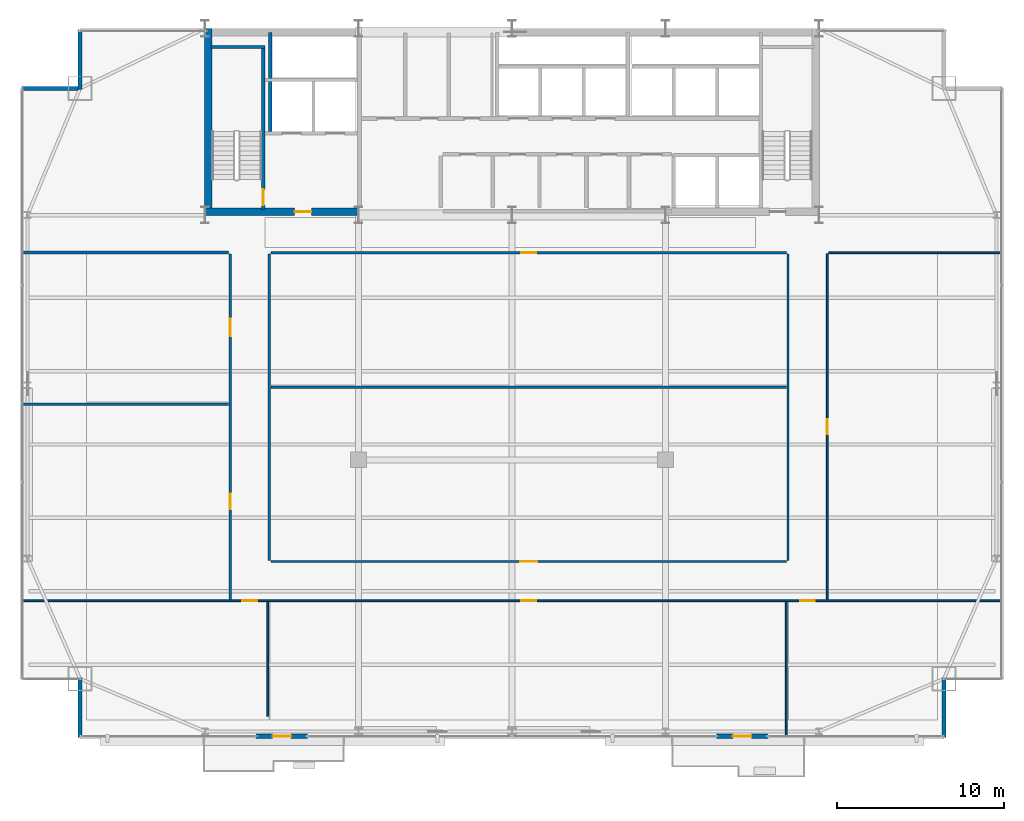
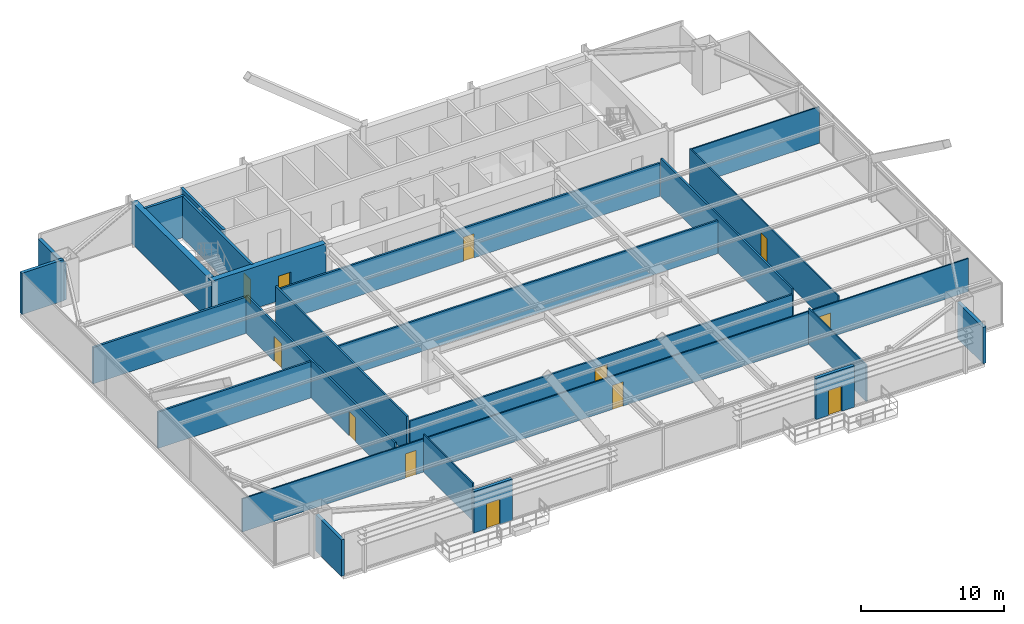
# One storey, part 33 of 37: 24 walls, 12 doors, 12 openings.
"""IFC4 building model written with IfcOpenShell, lengths in metres."""

from ifc_helpers import new_model, si_unit, direction, frame, frame_2d, origin, place, context, subcontext, project, spatial, rectangle, extrude, source, transform, mapped, material, layer, layer_set, type_object, type_shapes, element, fill, save


model = new_model("IFC4")

# Units and contexts
model_context = context("Model", 3, precision=1e-05, world=origin(), true_north=direction((0.0, 1.0)))
body_context = subcontext(model_context, "Body", "Model", "MODEL_VIEW")
ifc_project = project(units=[si_unit("LENGTHUNIT", "METRE"), si_unit("AREAUNIT", "SQUARE_METRE"), si_unit("VOLUMEUNIT", "CUBIC_METRE"), si_unit("PLANEANGLEUNIT", "RADIAN"), si_unit("MASSUNIT", "GRAM", prefix="KILO")], contexts=[model_context])

# Site, building, storey
site_placement = place(None, origin())
site = spatial("IfcSite", under=ifc_project, at=site_placement, CompositionType="ELEMENT")
building_placement = place(site_placement, origin())
building = spatial("IfcBuilding", under=site, at=building_placement, Name="Varnel Quay Broadcast Tower", CompositionType="ELEMENT")
storey_placement = place(building_placement, frame((0.0, 0.0, 106.800048828125)))
storey = spatial("IfcBuildingStorey", under=building, at=storey_placement, Name="L25", CompositionType="ELEMENT", Elevation=106.800048828125)

# Wall, opening, door
ifc_material_1 = material(Name="Concrete CSA A23.3 C50/60", Category="concrete")
ifc_layer_1 = layer(ifc_material_1, 0.199951171875, Name="Concrete CSA A23.3 C50/60")
ifc_layer_set_1 = layer_set([ifc_layer_1], Name="Concrete CSA A23.3 C50/60")
wall_type_1 = type_object("IfcWallType", Name="Wall_CoreShaftShear200", PredefinedType="SHEAR", material=ifc_layer_set_1)
wall_1_placement = place(storey_placement, frame((19.080078125, 35.949951171875, 0.0), z_axis=(0.0, 0.0, 1.0), x_axis=(0.0, 1.0, 0.0)))
wall_1 = element("IfcWall", 1, at=wall_1_placement, inside=storey, type_object=wall_type_1, Name="L25 Stair 1 East Structural Wall", PredefinedType="SHEAR", context=body_context, shape_type="SweptSolid", body=[
    extrude(rectangle(XDim=9.650146484375, YDim=0.199951171875, at=frame_2d((4.8251953125, 0.0))), origin(), (0.0, 0.0, 1.0), 3.550048828125),
])
opening_1_placement = place(wall_1_placement, frame((0.25, 0.0, 0.0)))
opening_1 = element("IfcOpeningElement", 2, at=opening_1_placement, cuts=wall_1, Name="Opening D-L25-S1", PredefinedType="OPENING", context=body_context, shape_type="SweptSolid", body=[
    extrude(rectangle(XDim=0.949951171875, YDim=2.10009765625, at=frame_2d((0.47509765625, 1.050048828125))), frame((0.0, 0.10986328125, 0.0), z_axis=(0.0, -1.0, 0.0), x_axis=(1.0, 0.0, 0.0)), (0.0, 0.0, 1.0), 0.219970703125),
])
ifc_material_2 = material(Name="Insulated Fire-Rated Hollow Steel Door", Category="steel")
door_type_1 = type_object("IfcDoorType", Name="Door_FireStair950", OperationType="NOTDEFINED", PredefinedType="DOOR", material=ifc_material_2)
shared_shape_1 = source(origin(), body_context, "Body", "SweptSolid", [
    extrude(rectangle(XDim=0.949951171875, YDim=2.10009765625, at=frame_2d((0.47509765625, 1.050048828125))), frame((0.0, 0.02490234375, 0.0), z_axis=(0.0, -1.0, 0.0), x_axis=(1.0, 0.0, 0.0)), (0.0, 0.0, 1.0), 0.050048828125),
])
type_shapes(door_type_1, [shared_shape_1])
door_1_placement = place(opening_1_placement, origin())
door_1 = element("IfcDoor", 3, at=door_1_placement, inside=storey, type_object=door_type_1, Name="L25 Stair 1 Fire Door", OperationType="SINGLE_SWING_LEFT", OverallHeight=2.10009765625, OverallWidth=0.949951171875, PredefinedType="DOOR", context=body_context, shape_type="MappedRepresentation", body=[
    mapped(shared_shape_1, transform((0.0, 0.0, 0.0), x_axis=(1.0, 0.0, 0.0), y_axis=(0.0, 1.0, 0.0), z_axis=(0.0, 0.0, 1.0), scale=1.0)),
])
fill(opening_1, door_1)

# Walls
wall_2_placement = place(storey_placement, frame((15.949951171875, 45.679931640625, 0.0), z_axis=(0.0, 0.0, 1.0), x_axis=(1.0, 0.0, 0.0)))
element("IfcWall", 4, at=wall_2_placement, inside=storey, type_object=wall_type_1, Name="L25 Stair 1 North Structural Wall", PredefinedType="SHEAR", context=body_context, shape_type="SweptSolid", body=[
    extrude(rectangle(XDim=3.22998046875, YDim=0.199951171875, at=frame_2d((1.614990234375, 0.0))), origin(), (0.0, 0.0, 1.0), 3.550048828125),
])
wall_3_placement = place(storey_placement, frame((19.5, 40.60009765625, 0.0), z_axis=(0.0, 0.0, 1.0), x_axis=(0.0, 1.0, 0.0)))
element("IfcWall", 5, at=wall_3_placement, inside=storey, type_object=wall_type_1, Name="L25 Firefighter Lift Shaft West Wall", PredefinedType="SHEAR", context=body_context, shape_type="SweptSolid", body=[
    extrude(rectangle(XDim=5.949951171875, YDim=0.199951171875, at=frame_2d((2.97509765625, 0.0))), origin(), (0.0, 0.0, 1.0), 3.550048828125),
])
ifc_material_3 = material(Name="Concrete CSA A23.3 C60/75", Category="concrete")
ifc_layer_2 = layer(ifc_material_3, 0.449951171875, Name="Concrete CSA A23.3 C60/75")
ifc_layer_set_2 = layer_set([ifc_layer_2], Name="Concrete CSA A23.3 C60/75")
wall_type_2 = type_object("IfcWallType", Name="Wall_CoreShearInt450", PredefinedType="SHEAR", material=ifc_layer_set_2)
wall_4_placement = place(storey_placement, frame((15.794921875, 35.570068359375, 0.0), z_axis=(0.0, 0.0, 1.0), x_axis=(0.0, 1.0, 0.0)))
element("IfcWall", 6, at=wall_4_placement, inside=storey, type_object=wall_type_2, Name="L25 West Core Shear Wall", PredefinedType="SHEAR", context=body_context, shape_type="SweptSolid", body=[
    extrude(rectangle(XDim=11.22998046875, YDim=0.449951171875, at=frame_2d((5.614990234375, 0.0))), origin(), (0.0, 0.0, 1.0), 3.550048828125),
])

# Wall, opening, door
wall_5_placement = place(storey_placement, frame((15.570068359375, 35.794921875, 0.0), z_axis=(0.0, 0.0, 1.0), x_axis=(1.0, 0.0, 0.0)))
wall_5 = element("IfcWall", 7, at=wall_5_placement, inside=storey, type_object=wall_type_2, Name="L25 South-West Core Shear Wall", PredefinedType="SHEAR", context=body_context, shape_type="SweptSolid", body=[
    extrude(rectangle(XDim=9.22998046875, YDim=0.449951171875, at=frame_2d((4.614990234375, 0.0))), origin(), (0.0, 0.0, 1.0), 3.550048828125),
])
opening_2_placement = place(wall_5_placement, frame((5.39990234375, 0.0, 0.0)))
opening_2 = element("IfcOpeningElement", 8, at=opening_2_placement, cuts=wall_5, Name="Opening D-L25-FFL", PredefinedType="OPENING", context=body_context, shape_type="SweptSolid", body=[
    extrude(rectangle(XDim=1.0, YDim=2.10009765625, at=frame_2d((0.5, 1.050048828125))), frame((0.0, 0.23486328125, 0.0), z_axis=(0.0, -1.0, 0.0), x_axis=(1.0, 0.0, 0.0)), (0.0, 0.0, 1.0), 0.469970703125),
])
door_type_2 = type_object("IfcDoorType", Name="Door_FireLobby1000", OperationType="NOTDEFINED", PredefinedType="DOOR", material=ifc_material_2)
shared_shape_2 = source(origin(), body_context, "Body", "SweptSolid", [
    extrude(rectangle(XDim=1.0, YDim=2.10009765625, at=frame_2d((0.5, 1.050048828125))), frame((0.0, 0.02490234375, 0.0), z_axis=(0.0, -1.0, 0.0), x_axis=(1.0, 0.0, 0.0)), (0.0, 0.0, 1.0), 0.050048828125),
])
type_shapes(door_type_2, [shared_shape_2])
door_2_placement = place(opening_2_placement, origin())
door_2 = element("IfcDoor", 9, at=door_2_placement, inside=storey, type_object=door_type_2, Name="L25 Firefighting Lobby Door", OperationType="SINGLE_SWING_RIGHT", OverallHeight=2.10009765625, OverallWidth=1.0, PredefinedType="DOOR", context=body_context, shape_type="MappedRepresentation", body=[
    mapped(shared_shape_2, transform((0.0, 0.0, 0.0), x_axis=(1.0, 0.0, 0.0), y_axis=(0.0, 1.0, 0.0), z_axis=(0.0, 0.0, 1.0), scale=1.0)),
])
fill(opening_2, door_2)

ifc_material_4 = material(Name="Precast Architectural Concrete C40/50", Category="concrete")
ifc_layer_3 = layer(ifc_material_4, 0.25, Name="Precast Architectural Concrete C40/50")
ifc_layer_set_3 = layer_set([ifc_layer_3], Name="Precast Architectural Concrete C40/50")
wall_type_3 = type_object("IfcWallType", Name="Wall_ExtTerrace250", PredefinedType="SOLIDWALL", material=ifc_layer_set_3)
wall_6_placement = place(storey_placement, frame((18.64990234375, 4.35009765625, 0.0), z_axis=(0.0, 0.0, 1.0), x_axis=(1.0, 0.0, 0.0)))
wall_6 = element("IfcWall", 10, at=wall_6_placement, inside=storey, type_object=wall_type_3, Name="L25 Terrace Access Wall 1", PredefinedType="SOLIDWALL", context=body_context, shape_type="SweptSolid", body=[
    extrude(rectangle(XDim=3.10009765625, YDim=0.25, at=frame_2d((1.550048828125, 0.0))), origin(), (0.0, 0.0, 1.0), 3.530029296875),
])
opening_3_placement = place(wall_6_placement, frame((1.0, 0.0, 0.0)))
opening_3 = element("IfcOpeningElement", 11, at=opening_3_placement, cuts=wall_6, Name="Opening TD-251", PredefinedType="OPENING", context=body_context, shape_type="SweptSolid", body=[
    extrude(rectangle(XDim=1.10009765625, YDim=2.14990234375, at=frame_2d((0.550048828125, 1.074951171875))), frame((0.0, 0.135009765625, 0.0), z_axis=(0.0, -1.0, 0.0), x_axis=(1.0, 0.0, 0.0)), (0.0, 0.0, 1.0), 0.27001953125),
])
ifc_material_5 = material(Name="Anodised Bronze Aluminium 6063-T6", Category="aluminium")
door_type_3 = type_object("IfcDoorType", Name="Door_ExtTerrace1100", OperationType="NOTDEFINED", PredefinedType="DOOR", material=ifc_material_5)
shared_shape_3 = source(origin(), body_context, "Body", "SweptSolid", [
    extrude(rectangle(XDim=1.10009765625, YDim=2.14990234375, at=frame_2d((0.550048828125, 1.074951171875))), frame((0.0, 0.02490234375, 0.0), z_axis=(0.0, -1.0, 0.0), x_axis=(1.0, 0.0, 0.0)), (0.0, 0.0, 1.0), 0.050048828125),
])
type_shapes(door_type_3, [shared_shape_3])
door_3_placement = place(opening_3_placement, frame((1.10009765625, 0.0, 0.0), z_axis=(0.0, 0.0, 1.0), x_axis=(-1.0, 0.0, 0.0)))
door_3 = element("IfcDoor", 12, at=door_3_placement, inside=storey, type_object=door_type_3, Name="L25 Terrace Door TD-251", OperationType="SINGLE_SWING_LEFT", OverallHeight=2.14990234375, OverallWidth=1.10009765625, PredefinedType="DOOR", context=body_context, shape_type="MappedRepresentation", body=[
    mapped(shared_shape_3, transform((0.0, 0.0, 0.0), x_axis=(1.0, 0.0, 0.0), y_axis=(0.0, 1.0, 0.0), z_axis=(0.0, 0.0, 1.0), scale=1.0)),
])
fill(opening_3, door_3)

wall_7_placement = place(storey_placement, frame((46.25, 4.35009765625, 0.0), z_axis=(0.0, 0.0, 1.0), x_axis=(1.0, 0.0, 0.0)))
wall_7 = element("IfcWall", 13, at=wall_7_placement, inside=storey, type_object=wall_type_3, Name="L25 Terrace Access Wall 2", PredefinedType="SOLIDWALL", context=body_context, shape_type="SweptSolid", body=[
    extrude(rectangle(XDim=3.10009765625, YDim=0.25, at=frame_2d((1.550048828125, 0.0))), origin(), (0.0, 0.0, 1.0), 3.530029296875),
])
opening_4_placement = place(wall_7_placement, frame((1.0, 0.0, 0.0)))
opening_4 = element("IfcOpeningElement", 14, at=opening_4_placement, cuts=wall_7, Name="Opening TD-252", PredefinedType="OPENING", context=body_context, shape_type="SweptSolid", body=[
    extrude(rectangle(XDim=1.10009765625, YDim=2.14990234375, at=frame_2d((0.550048828125, 1.074951171875))), frame((0.0, 0.135009765625, 0.0), z_axis=(0.0, -1.0, 0.0), x_axis=(1.0, 0.0, 0.0)), (0.0, 0.0, 1.0), 0.27001953125),
])
door_4_placement = place(opening_4_placement, frame((1.10009765625, 0.0, 0.0), z_axis=(0.0, 0.0, 1.0), x_axis=(-1.0, 0.0, 0.0)))
door_4 = element("IfcDoor", 15, at=door_4_placement, inside=storey, type_object=door_type_3, Name="L25 Terrace Door TD-252", OperationType="SINGLE_SWING_RIGHT", OverallHeight=2.14990234375, OverallWidth=1.10009765625, PredefinedType="DOOR", context=body_context, shape_type="MappedRepresentation", body=[
    mapped(shared_shape_3, transform((0.0, 0.0, 0.0), x_axis=(1.0, 0.0, 0.0), y_axis=(0.0, 1.0, 0.0), z_axis=(0.0, 0.0, 1.0), scale=1.0)),
])
fill(opening_4, door_4)

# Walls
for number, where, z_axis, x_axis, name in (
    (16, (8.10009765625, 4.280029296875, 0.0), (0.0, 0.0, 1.0), (0.0, 1.0, 0.0), "L25 Mega-Column Notch Cladding Wall NSW2"),
    (17, (59.89990234375, 4.280029296875, 0.0), (0.0, 0.0, 1.0), (0.0, 1.0, 0.0), "L25 Mega-Column Notch Cladding Wall NSE2"),
):
    element("IfcWall", number, at=place(storey_placement, frame(where, z_axis=z_axis, x_axis=x_axis)), inside=storey, type_object=wall_type_3, Name=name, PredefinedType="SOLIDWALL", context=body_context, shape_type="SweptSolid", body=[
        extrude(rectangle(XDim=3.599853515625, YDim=0.25, at=frame_2d((1.7998046875, 0.0))), origin(), (0.0, 0.0, 1.0), 3.10791015625),
    ])
wall_8_placement = place(storey_placement, frame((4.580078125, 43.199951171875, 0.0), z_axis=(0.0, 0.0, 1.0), x_axis=(1.0, 0.0, 0.0)))
element("IfcWall", 18, at=wall_8_placement, inside=storey, type_object=wall_type_3, Name="L25 Mega-Column Notch Cladding Wall NNW1", PredefinedType="SOLIDWALL", context=body_context, shape_type="SweptSolid", body=[
    extrude(rectangle(XDim=3.389892578125, YDim=0.25, at=frame_2d((1.69482421875, 0.0))), origin(), (0.0, 0.0, 1.0), 3.530029296875),
])
wall_9_placement = place(storey_placement, frame((8.10009765625, 43.1201171875, 0.0), z_axis=(0.0, 0.0, 1.0), x_axis=(0.0, 1.0, 0.0)))
element("IfcWall", 19, at=wall_9_placement, inside=storey, type_object=wall_type_3, Name="L25 Mega-Column Notch Cladding Wall NNW2", PredefinedType="SOLIDWALL", context=body_context, shape_type="SweptSolid", body=[
    extrude(rectangle(XDim=3.599853515625, YDim=0.25, at=frame_2d((1.7998046875, 0.0))), origin(), (0.0, 0.0, 1.0), 3.10791015625),
])
ifc_material_6 = material(Name="Steel-Stud Fire-Rated Acoustic Gypsum Partition Assembly", Category="steel")
ifc_layer_4 = layer(ifc_material_6, 0.10498046875, Name="Steel-Stud Fire-Rated Acoustic Gypsum Partition Assembly")
ifc_layer_set_4 = layer_set([ifc_layer_4], Name="Steel-Stud Fire-Rated Acoustic Gypsum Partition Assembly")
wall_type_4 = type_object("IfcWallType", Name="Wall_Partition105", PredefinedType="PARTITIONING", material=ifc_layer_set_4)
wall_10_placement = place(storey_placement, frame((19.35009765625, 5.550048828125, 0.0), z_axis=(0.0, 0.0, 1.0), x_axis=(0.0, 1.0, 0.0)))
element("IfcWall", 20, at=wall_10_placement, inside=storey, type_object=wall_type_4, Name="L25 Media Tape Archive Store 1 Partition 8", PredefinedType="PARTITIONING", context=body_context, shape_type="SweptSolid", body=[
    extrude(rectangle(XDim=6.8779296875, YDim=0.10498046875, at=frame_2d((3.43896484375, 0.0))), origin(), (0.0, 0.0, 1.0), 3.221923828125),
])

# Wall, openings, doors
wall_11_placement = place(storey_placement, frame((4.679931640625, 12.47998046875, 0.0), z_axis=(0.0, 0.0, 1.0), x_axis=(1.0, 0.0, 0.0)))
wall_11 = element("IfcWall", 21, at=wall_11_placement, inside=storey, type_object=wall_type_4, Name="L25 Media Tape Archive Store 1 Partition 9", PredefinedType="PARTITIONING", context=body_context, shape_type="SweptSolid", body=[
    extrude(rectangle(XDim=58.64013671875, YDim=0.10498046875, at=frame_2d((29.320068359375, 0.0))), origin(), (0.0, 0.0, 1.0), 2.829833984375),
])
opening_5_placement = place(wall_11_placement, frame((13.155029296875, 0.0, 0.0)))
opening_5 = element("IfcOpeningElement", 22, at=opening_5_placement, cuts=wall_11, Name="Opening D-L25-06", PredefinedType="OPENING", context=body_context, shape_type="SweptSolid", body=[
    extrude(rectangle(XDim=0.8798828125, YDim=2.06005859375, at=frame_2d((0.43994140625, 1.030029296875))), frame((0.0, 0.0625, 0.0), z_axis=(0.0, -1.0, 0.0), x_axis=(1.0, 0.0, 0.0)), (0.0, 0.0, 1.0), 0.125),
])
opening_6_placement = place(wall_11_placement, frame((29.8798828125, 0.0, 0.0)))
opening_6 = element("IfcOpeningElement", 23, at=opening_6_placement, cuts=wall_11, Name="Opening D-L25-07", PredefinedType="OPENING", context=body_context, shape_type="SweptSolid", body=[
    extrude(rectangle(XDim=0.8798828125, YDim=2.06005859375, at=frame_2d((0.43994140625, 1.030029296875))), frame((0.0, 0.0625, 0.0), z_axis=(0.0, -1.0, 0.0), x_axis=(1.0, 0.0, 0.0)), (0.0, 0.0, 1.0), 0.125),
])
opening_7_placement = place(wall_11_placement, frame((46.60498046875, 0.0, 0.0)))
opening_7 = element("IfcOpeningElement", 24, at=opening_7_placement, cuts=wall_11, Name="Opening D-L25-08", PredefinedType="OPENING", context=body_context, shape_type="SweptSolid", body=[
    extrude(rectangle(XDim=0.8798828125, YDim=2.06005859375, at=frame_2d((0.43994140625, 1.030029296875))), frame((0.0, 0.0625, 0.0), z_axis=(0.0, -1.0, 0.0), x_axis=(1.0, 0.0, 0.0)), (0.0, 0.0, 1.0), 0.125),
])
ifc_material_7 = material(Name="Solid-Core Fire-Rated Acoustic Oak Veneer Door", Category="wood")
door_type_4 = type_object("IfcDoorType", Name="Door_Booth880", OperationType="NOTDEFINED", PredefinedType="DOOR", material=ifc_material_7)
shared_shape_4 = source(origin(), body_context, "Body", "SweptSolid", [
    extrude(rectangle(XDim=0.8798828125, YDim=2.06005859375, at=frame_2d((0.43994140625, 1.030029296875))), frame((0.0, 0.02490234375, 0.0), z_axis=(0.0, -1.0, 0.0), x_axis=(1.0, 0.0, 0.0)), (0.0, 0.0, 1.0), 0.050048828125),
])
type_shapes(door_type_4, [shared_shape_4])
door_5_placement = place(opening_5_placement, frame((0.8798828125, 0.0, 0.0), z_axis=(0.0, 0.0, 1.0), x_axis=(-1.0, 0.0, 0.0)))
door_5 = element("IfcDoor", 25, at=door_5_placement, inside=storey, type_object=door_type_4, Name="L25 Media Tape Archive Store 1 Door D-L25-06", OperationType="SINGLE_SWING_RIGHT", OverallHeight=2.06005859375, OverallWidth=0.8798828125, PredefinedType="DOOR", context=body_context, shape_type="MappedRepresentation", body=[
    mapped(shared_shape_4, transform((0.0, 0.0, 0.0), x_axis=(1.0, 0.0, 0.0), y_axis=(0.0, 1.0, 0.0), z_axis=(0.0, 0.0, 1.0), scale=1.0)),
])
fill(opening_5, door_5)
door_6_placement = place(opening_6_placement, frame((0.8798828125, 0.0, 0.0), z_axis=(0.0, 0.0, 1.0), x_axis=(-1.0, 0.0, 0.0)))
door_6 = element("IfcDoor", 26, at=door_6_placement, inside=storey, type_object=door_type_4, Name="L25 Lens & Rigging Store 2 Door D-L25-07", OperationType="SINGLE_SWING_LEFT", OverallHeight=2.06005859375, OverallWidth=0.8798828125, PredefinedType="DOOR", context=body_context, shape_type="MappedRepresentation", body=[
    mapped(shared_shape_4, transform((0.0, 0.0, 0.0), x_axis=(1.0, 0.0, 0.0), y_axis=(0.0, 1.0, 0.0), z_axis=(0.0, 0.0, 1.0), scale=1.0)),
])
fill(opening_6, door_6)
door_7_placement = place(opening_7_placement, frame((0.8798828125, 0.0, 0.0), z_axis=(0.0, 0.0, 1.0), x_axis=(-1.0, 0.0, 0.0)))
door_7 = element("IfcDoor", 27, at=door_7_placement, inside=storey, type_object=door_type_4, Name="L25 Ingest Vault Store 3 Door D-L25-08", OperationType="SINGLE_SWING_RIGHT", OverallHeight=2.06005859375, OverallWidth=0.8798828125, PredefinedType="DOOR", context=body_context, shape_type="MappedRepresentation", body=[
    mapped(shared_shape_4, transform((0.0, 0.0, 0.0), x_axis=(1.0, 0.0, 0.0), y_axis=(0.0, 1.0, 0.0), z_axis=(0.0, 0.0, 1.0), scale=1.0)),
])
fill(opening_7, door_7)

# Walls
wall_12_placement = place(storey_placement, frame((50.449951171875, 4.3798828125, 0.0), z_axis=(0.0, 0.0, 1.0), x_axis=(0.0, 1.0, 0.0)))
element("IfcWall", 28, at=wall_12_placement, inside=storey, type_object=wall_type_4, Name="L25 Lens & Rigging Store 2 Partition 10", PredefinedType="PARTITIONING", context=body_context, shape_type="SweptSolid", body=[
    extrude(rectangle(XDim=8.048095703125, YDim=0.10498046875, at=frame_2d((4.02392578125, 0.0))), origin(), (0.0, 0.0, 1.0), 3.10791015625),
])
wall_13_placement = place(storey_placement, frame((53.0, 33.35009765625, 0.0), z_axis=(0.0, 0.0, 1.0), x_axis=(1.0, 0.0, 0.0)))
element("IfcWall", 29, at=wall_13_placement, inside=storey, type_object=wall_type_4, Name="L25 Media Tape Archive Store 8 Partition 19", PredefinedType="PARTITIONING", context=body_context, shape_type="SweptSolid", body=[
    extrude(rectangle(XDim=10.320068359375, YDim=0.10498046875, at=frame_2d((5.16015625, 0.0))), origin(), (0.0, 0.0, 1.0), 3.10791015625),
])

# Wall, opening, door
wall_14_placement = place(storey_placement, frame((52.89990234375, 12.532958984375, 0.0), z_axis=(0.0, 0.0, 1.0), x_axis=(0.0, 1.0, 0.0)))
wall_14 = element("IfcWall", 30, at=wall_14_placement, inside=storey, type_object=wall_type_4, Name="L25 Media Tape Archive Store 8 Partition 20", PredefinedType="PARTITIONING", context=body_context, shape_type="SweptSolid", body=[
    extrude(rectangle(XDim=20.76416015625, YDim=0.10498046875, at=frame_2d((10.382080078125, 0.0))), origin(), (0.0, 0.0, 1.0), 3.221923828125),
])
opening_8_placement = place(wall_14_placement, frame((9.94189453125, 0.0, 0.0)))
opening_8 = element("IfcOpeningElement", 31, at=opening_8_placement, cuts=wall_14, Name="Opening D-L25-13", PredefinedType="OPENING", context=body_context, shape_type="SweptSolid", body=[
    extrude(rectangle(XDim=0.8798828125, YDim=2.06005859375, at=frame_2d((0.43994140625, 1.030029296875))), frame((0.0, 0.0625, 0.0), z_axis=(0.0, -1.0, 0.0), x_axis=(1.0, 0.0, 0.0)), (0.0, 0.0, 1.0), 0.125),
])
door_8_placement = place(opening_8_placement, frame((0.8798828125, 0.0, 0.0), z_axis=(0.0, 0.0, 1.0), x_axis=(-1.0, 0.0, 0.0)))
door_8 = element("IfcDoor", 32, at=door_8_placement, inside=storey, type_object=door_type_4, Name="L25 Media Tape Archive Store 8 Door D-L25-13", OperationType="SINGLE_SWING_LEFT", OverallHeight=2.06005859375, OverallWidth=0.8798828125, PredefinedType="DOOR", context=body_context, shape_type="MappedRepresentation", body=[
    mapped(shared_shape_4, transform((0.0, 0.0, 0.0), x_axis=(1.0, 0.0, 0.0), y_axis=(0.0, 1.0, 0.0), z_axis=(0.0, 0.0, 1.0), scale=1.0)),
])
fill(opening_8, door_8)

ifc_layer_5 = layer(ifc_material_6, 0.139892578125, Name="Steel-Stud Fire-Rated Acoustic Gypsum Partition Assembly")
ifc_layer_set_5 = layer_set([ifc_layer_5], Name="Steel-Stud Fire-Rated Acoustic Gypsum Partition Assembly")
wall_type_5 = type_object("IfcWallType", Name="Wall_Partition140", PredefinedType="PARTITIONING", material=ifc_layer_set_5)
wall_15_placement = place(storey_placement, frame((19.550048828125, 14.830078125, 0.0), z_axis=(0.0, 0.0, 1.0), x_axis=(1.0, 0.0, 0.0)))
wall_15 = element("IfcWall", 33, at=wall_15_placement, inside=storey, type_object=wall_type_5, Name="L25 Producer Lounge 6 Partition 14", PredefinedType="PARTITIONING", context=body_context, shape_type="SweptSolid", body=[
    extrude(rectangle(XDim=30.89990234375, YDim=0.139892578125, at=frame_2d((15.449951171875, 0.0))), origin(), (0.0, 0.0, 1.0), 2.829833984375),
])
opening_9_placement = place(wall_15_placement, frame((14.949951171875, 0.0, 0.0)))
opening_9 = element("IfcOpeningElement", 34, at=opening_9_placement, cuts=wall_15, Name="Opening D-L25-11", PredefinedType="OPENING", context=body_context, shape_type="SweptSolid", body=[
    extrude(rectangle(XDim=1.0, YDim=2.10009765625, at=frame_2d((0.5, 1.050048828125))), frame((0.0, 0.080078125, 0.0), z_axis=(0.0, -1.0, 0.0), x_axis=(1.0, 0.0, 0.0)), (0.0, 0.0, 1.0), 0.159912109375),
])
door_type_5 = type_object("IfcDoorType", Name="Door_Exec1000", OperationType="NOTDEFINED", PredefinedType="DOOR", material=ifc_material_7)
shared_shape_5 = source(origin(), body_context, "Body", "SweptSolid", [
    extrude(rectangle(XDim=1.0, YDim=2.10009765625, at=frame_2d((0.5, 1.050048828125))), frame((0.0, 0.02490234375, 0.0), z_axis=(0.0, -1.0, 0.0), x_axis=(1.0, 0.0, 0.0)), (0.0, 0.0, 1.0), 0.050048828125),
])
type_shapes(door_type_5, [shared_shape_5])
door_9_placement = place(opening_9_placement, origin())
door_9 = element("IfcDoor", 35, at=door_9_placement, inside=storey, type_object=door_type_5, Name="L25 Producer Lounge 6 Door D-L25-11", OperationType="SINGLE_SWING_LEFT", OverallHeight=2.10009765625, OverallWidth=1.0, PredefinedType="DOOR", context=body_context, shape_type="MappedRepresentation", body=[
    mapped(shared_shape_5, transform((0.0, 0.0, 0.0), x_axis=(1.0, 0.0, 0.0), y_axis=(0.0, 1.0, 0.0), z_axis=(0.0, 0.0, 1.0), scale=1.0)),
])
fill(opening_9, door_9)

# Walls
wall_16_placement = place(storey_placement, frame((50.550048828125, 14.89990234375, 0.0), z_axis=(0.0, 0.0, 1.0), x_axis=(0.0, 1.0, 0.0)))
element("IfcWall", 36, at=wall_16_placement, inside=storey, type_object=wall_type_5, Name="L25 Producer Lounge 6 Partition 15", PredefinedType="PARTITIONING", context=body_context, shape_type="SweptSolid", body=[
    extrude(rectangle(XDim=18.375, YDim=0.139892578125, at=frame_2d((9.1875, 0.0))), origin(), (0.0, 0.0, 1.0), 3.221923828125),
])
wall_17_placement = place(storey_placement, frame((19.550048828125, 25.27001953125, 0.0), z_axis=(0.0, 0.0, 1.0), x_axis=(1.0, 0.0, 0.0)))
element("IfcWall", 37, at=wall_17_placement, inside=storey, type_object=wall_type_5, Name="L25 Producer Lounge 6 Partition 16", PredefinedType="PARTITIONING", context=body_context, shape_type="SweptSolid", body=[
    extrude(rectangle(XDim=30.89990234375, YDim=0.139892578125, at=frame_2d((15.449951171875, 0.0))), origin(), (0.0, 0.0, 1.0), 2.829833984375),
])
wall_18_placement = place(storey_placement, frame((19.449951171875, 14.89990234375, 0.0), z_axis=(0.0, 0.0, 1.0), x_axis=(0.0, 1.0, 0.0)))
element("IfcWall", 38, at=wall_18_placement, inside=storey, type_object=wall_type_5, Name="L25 Producer Lounge 6 Partition 17", PredefinedType="PARTITIONING", context=body_context, shape_type="SweptSolid", body=[
    extrude(rectangle(XDim=18.375, YDim=0.139892578125, at=frame_2d((9.1875, 0.0))), origin(), (0.0, 0.0, 1.0), 3.221923828125),
])

# Wall, openings, doors
ifc_layer_6 = layer(ifc_material_6, 0.14990234375, Name="Steel-Stud Fire-Rated Acoustic Gypsum Partition Assembly")
ifc_layer_set_6 = layer_set([ifc_layer_6], Name="Steel-Stud Fire-Rated Acoustic Gypsum Partition Assembly")
wall_type_6 = type_object("IfcWallType", Name="Wall_Partition150", PredefinedType="PARTITIONING", material=ifc_layer_set_6)
wall_19_placement = place(storey_placement, frame((17.10009765625, 12.532958984375, 0.0), z_axis=(0.0, 0.0, 1.0), x_axis=(0.0, 1.0, 0.0)))
wall_19 = element("IfcWall", 39, at=wall_19_placement, inside=storey, type_object=wall_type_6, Name="L25 Color Timing Suite 4 Partition 11", PredefinedType="PARTITIONING", context=body_context, shape_type="SweptSolid", body=[
    extrude(rectangle(XDim=20.72998046875, YDim=0.14990234375, at=frame_2d((10.364990234375, 0.0))), origin(), (0.0, 0.0, 1.0), 3.221923828125),
])
opening_10_placement = place(wall_19_placement, frame((5.427001953125, 0.0, 0.0)))
opening_10 = element("IfcOpeningElement", 40, at=opening_10_placement, cuts=wall_19, Name="Opening D-L25-09", PredefinedType="OPENING", context=body_context, shape_type="SweptSolid", body=[
    extrude(rectangle(XDim=0.919921875, YDim=2.080078125, at=frame_2d((0.4599609375, 1.0400390625))), frame((0.0, 0.0849609375, 0.0), z_axis=(0.0, -1.0, 0.0), x_axis=(1.0, 0.0, 0.0)), (0.0, 0.0, 1.0), 0.169921875),
])
opening_11_placement = place(wall_19_placement, frame((15.797119140625, 0.0, 0.0)))
opening_11 = element("IfcOpeningElement", 41, at=opening_11_placement, cuts=wall_19, Name="Opening D-L25-10", PredefinedType="OPENING", context=body_context, shape_type="SweptSolid", body=[
    extrude(rectangle(XDim=1.050048828125, YDim=2.10009765625, at=frame_2d((0.52490234375, 1.050048828125))), frame((0.0, 0.0849609375, 0.0), z_axis=(0.0, -1.0, 0.0), x_axis=(1.0, 0.0, 0.0)), (0.0, 0.0, 1.0), 0.169921875),
])
door_type_6 = type_object("IfcDoorType", Name="Door_Office920", OperationType="NOTDEFINED", PredefinedType="DOOR", material=ifc_material_7)
shared_shape_6 = source(origin(), body_context, "Body", "SweptSolid", [
    extrude(rectangle(XDim=0.919921875, YDim=2.080078125, at=frame_2d((0.4599609375, 1.0400390625))), frame((0.0, 0.02490234375, 0.0), z_axis=(0.0, -1.0, 0.0), x_axis=(1.0, 0.0, 0.0)), (0.0, 0.0, 1.0), 0.050048828125),
])
type_shapes(door_type_6, [shared_shape_6])
door_10_placement = place(opening_10_placement, origin())
door_10 = element("IfcDoor", 42, at=door_10_placement, inside=storey, type_object=door_type_6, Name="L25 Color Timing Suite 4 Door D-L25-09", OperationType="SINGLE_SWING_LEFT", OverallHeight=2.080078125, OverallWidth=0.919921875, PredefinedType="DOOR", context=body_context, shape_type="MappedRepresentation", body=[
    mapped(shared_shape_6, transform((0.0, 0.0, 0.0), x_axis=(1.0, 0.0, 0.0), y_axis=(0.0, 1.0, 0.0), z_axis=(0.0, 0.0, 1.0), scale=1.0)),
])
fill(opening_10, door_10)
door_type_7 = type_object("IfcDoorType", Name="Door_Meeting1050", OperationType="NOTDEFINED", PredefinedType="DOOR", material=ifc_material_7)
shared_shape_7 = source(origin(), body_context, "Body", "SweptSolid", [
    extrude(rectangle(XDim=1.050048828125, YDim=2.10009765625, at=frame_2d((0.52490234375, 1.050048828125))), frame((0.0, 0.02490234375, 0.0), z_axis=(0.0, -1.0, 0.0), x_axis=(1.0, 0.0, 0.0)), (0.0, 0.0, 1.0), 0.050048828125),
])
type_shapes(door_type_7, [shared_shape_7])
door_11_placement = place(opening_11_placement, origin())
door_11 = element("IfcDoor", 43, at=door_11_placement, inside=storey, type_object=door_type_7, Name="L25 Screening Meeting Room 5 Door D-L25-10", OperationType="SINGLE_SWING_RIGHT", OverallHeight=2.10009765625, OverallWidth=1.050048828125, PredefinedType="DOOR", context=body_context, shape_type="MappedRepresentation", body=[
    mapped(shared_shape_7, transform((0.0, 0.0, 0.0), x_axis=(1.0, 0.0, 0.0), y_axis=(0.0, 1.0, 0.0), z_axis=(0.0, 0.0, 1.0), scale=1.0)),
])
fill(opening_11, door_11)

# Wall
wall_20_placement = place(storey_placement, frame((4.679931640625, 24.260009765625, 0.0), z_axis=(0.0, 0.0, 1.0), x_axis=(1.0, 0.0, 0.0)))
element("IfcWall", 44, at=wall_20_placement, inside=storey, type_object=wall_type_6, Name="L25 Color Timing Suite 4 Partition 12", PredefinedType="PARTITIONING", context=body_context, shape_type="SweptSolid", body=[
    extrude(rectangle(XDim=12.320068359375, YDim=0.14990234375, at=frame_2d((6.16015625, 0.0))), origin(), (0.0, 0.0, 1.0), 3.10791015625),
])

# Wall, opening, door
wall_21_placement = place(storey_placement, frame((19.550048828125, 33.35009765625, 0.0), z_axis=(0.0, 0.0, 1.0), x_axis=(1.0, 0.0, 0.0)))
wall_21 = element("IfcWall", 45, at=wall_21_placement, inside=storey, type_object=wall_type_6, Name="L25 Tea Kitchen 7 Partition 18", PredefinedType="PARTITIONING", context=body_context, shape_type="SweptSolid", body=[
    extrude(rectangle(XDim=30.89990234375, YDim=0.14990234375, at=frame_2d((15.449951171875, 0.0))), origin(), (0.0, 0.0, 1.0), 2.829833984375),
])
opening_12_placement = place(wall_21_placement, frame((15.010009765625, 0.0, 0.0)))
opening_12 = element("IfcOpeningElement", 46, at=opening_12_placement, cuts=wall_21, Name="Opening D-L25-12", PredefinedType="OPENING", context=body_context, shape_type="SweptSolid", body=[
    extrude(rectangle(XDim=0.8798828125, YDim=2.06005859375, at=frame_2d((0.43994140625, 1.030029296875))), frame((0.0, 0.0849609375, 0.0), z_axis=(0.0, -1.0, 0.0), x_axis=(1.0, 0.0, 0.0)), (0.0, 0.0, 1.0), 0.169921875),
])
door_12_placement = place(opening_12_placement, frame((0.8798828125, 0.0, 0.0), z_axis=(0.0, 0.0, 1.0), x_axis=(-1.0, 0.0, 0.0)))
door_12 = element("IfcDoor", 47, at=door_12_placement, inside=storey, type_object=door_type_4, Name="L25 Tea Kitchen 7 Door D-L25-12", OperationType="SINGLE_SWING_RIGHT", OverallHeight=2.06005859375, OverallWidth=0.8798828125, PredefinedType="DOOR", context=body_context, shape_type="MappedRepresentation", body=[
    mapped(shared_shape_4, transform((0.0, 0.0, 0.0), x_axis=(1.0, 0.0, 0.0), y_axis=(0.0, 1.0, 0.0), z_axis=(0.0, 0.0, 1.0), scale=1.0)),
])
fill(opening_12, door_12)

# Wall
ifc_layer_7 = layer(ifc_material_6, 0.175048828125, Name="Steel-Stud Fire-Rated Acoustic Gypsum Partition Assembly")
ifc_layer_set_7 = layer_set([ifc_layer_7], Name="Steel-Stud Fire-Rated Acoustic Gypsum Partition Assembly")
wall_type_7 = type_object("IfcWallType", Name="Wall_Partition175", PredefinedType="PARTITIONING", material=ifc_layer_set_7)
wall_22_placement = place(storey_placement, frame((4.679931640625, 33.35009765625, 0.0), z_axis=(0.0, 0.0, 1.0), x_axis=(1.0, 0.0, 0.0)))
element("IfcWall", 48, at=wall_22_placement, inside=storey, type_object=wall_type_7, Name="L25 Screening Meeting Room 5 Partition 13", PredefinedType="PARTITIONING", context=body_context, shape_type="SweptSolid", body=[
    extrude(rectangle(XDim=12.320068359375, YDim=0.175048828125, at=frame_2d((6.16015625, 0.0))), origin(), (0.0, 0.0, 1.0), 3.10791015625),
])

save(model, "model.ifc")
